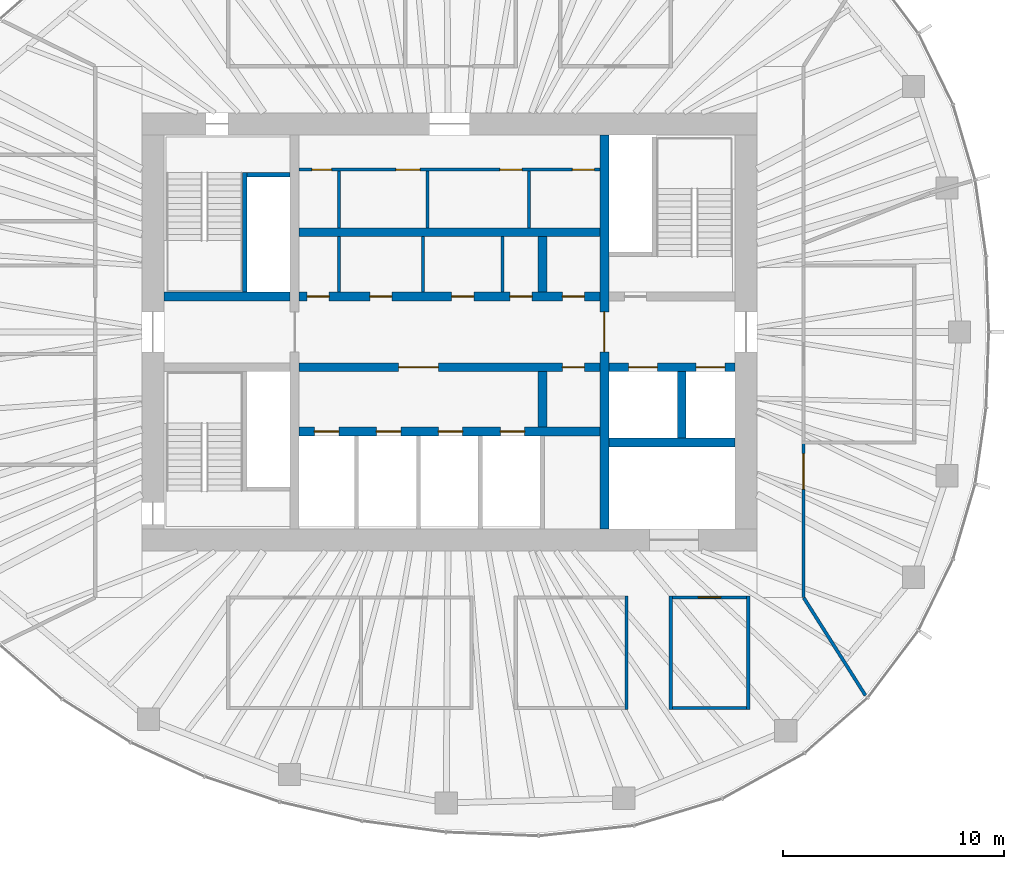
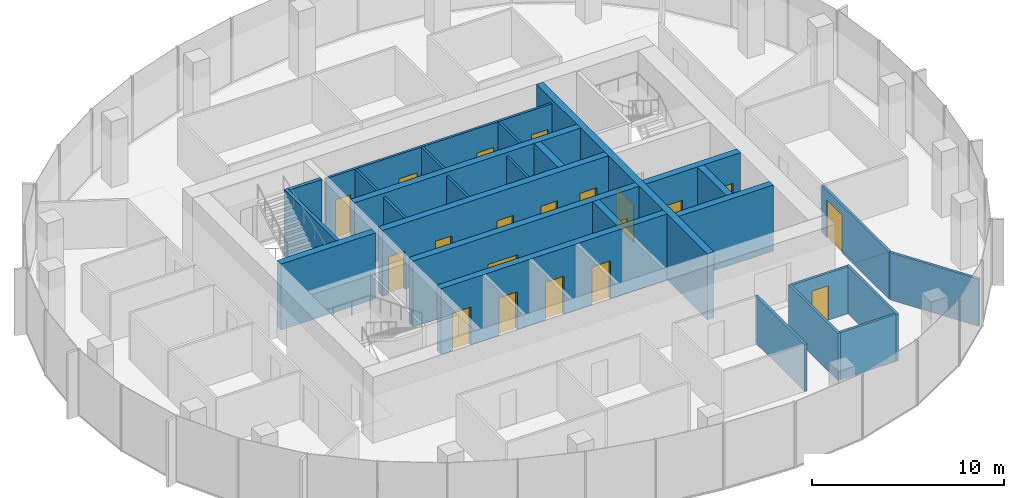
# One storey, part 9 of 11: 27 walls, 20 doors, 20 openings.
"""IFC4 building model written with IfcOpenShell, lengths in metres."""

from ifc_helpers import new_model, si_unit, direction, frame, frame_2d, origin, place, context, subcontext, project, spatial, rectangle, extrude, material, layer, layer_set, type_object, element, fill, save


model = new_model("IFC4")

# Units and contexts
model_context = context("Model", 3, precision=1e-05, world=origin(), true_north=direction((0.0, 1.0)))
body_context = subcontext(model_context, "Body", "Model", "MODEL_VIEW")
ifc_project = project(units=[si_unit("LENGTHUNIT", "METRE"), si_unit("AREAUNIT", "SQUARE_METRE"), si_unit("VOLUMEUNIT", "CUBIC_METRE"), si_unit("PLANEANGLEUNIT", "RADIAN"), si_unit("MASSUNIT", "GRAM", prefix="KILO")], contexts=[model_context])

# Site, building, storey
site_placement = place(None, origin())
site = spatial("IfcSite", under=ifc_project, at=site_placement, CompositionType="ELEMENT")
building_placement = place(site_placement, origin())
building = spatial("IfcBuilding", under=site, at=building_placement, Name="Ghaith Harvest Tower", CompositionType="ELEMENT")
storey_placement = place(building_placement, frame((0.0, 0.0, 325.800048828125)))
storey = spatial("IfcBuildingStorey", under=building, at=storey_placement, Name="L73", CompositionType="ELEMENT", Elevation=325.800048828125)

# Wall, openings, doors
ifc_material_1 = material(Name="Concrete blockwork, fair-faced", Category="masonry")
ifc_layer_1 = layer(ifc_material_1, 0.139892578125)
ifc_layer_set_1 = layer_set([ifc_layer_1], Name="CORE PARTITION 140")
wall_type_1 = type_object("IfcWallType", Name="CORE PARTITION 140", PredefinedType="PARTITIONING", material=ifc_layer_set_1)
wall_1_placement = place(storey_placement, frame((-6.800048828125, 7.330078125, 0.0), z_axis=(0.0, 0.0, 1.0), x_axis=(1.0, 0.0, 0.0)))
wall_1 = element("IfcWall", 1, at=wall_1_placement, inside=storey, type_object=wall_type_1, Name="Core partition L73", PredefinedType="PARTITIONING", context=body_context, shape_type="SweptSolid", body=[
    extrude(rectangle(XDim=13.60009765625, YDim=0.139892578125, at=frame_2d((6.800048828125, 0.0))), origin(), (0.0, 0.0, 1.0), 3.949951171875),
])
opening_1_placement = place(wall_1_placement, frame((0.580078125, 0.0, 0.0)))
opening_1 = element("IfcOpeningElement", 2, at=opening_1_placement, cuts=wall_1, Name="Opening 73-008", PredefinedType="OPENING", context=body_context, shape_type="SweptSolid", body=[
    extrude(rectangle(XDim=0.89990234375, YDim=2.39990234375, at=frame_2d((0.449951171875, 1.199951171875))), frame((0.0, 0.080078125, 0.0), z_axis=(0.0, -1.0, 0.0), x_axis=(1.0, 0.0, 0.0)), (0.0, 0.0, 1.0), 0.159912109375),
])
opening_2_placement = place(wall_1_placement, frame((4.3798828125, 0.0, 0.0)))
opening_2 = element("IfcOpeningElement", 3, at=opening_2_placement, cuts=wall_1, Name="Opening 73-009", PredefinedType="OPENING", context=body_context, shape_type="SweptSolid", body=[
    extrude(rectangle(XDim=1.10009765625, YDim=2.39990234375, at=frame_2d((0.550048828125, 1.199951171875))), frame((0.0, 0.080078125, 0.0), z_axis=(0.0, -1.0, 0.0), x_axis=(1.0, 0.0, 0.0)), (0.0, 0.0, 1.0), 0.159912109375),
])
opening_3_placement = place(wall_1_placement, frame((9.080078125, 0.0, 0.0)))
opening_3 = element("IfcOpeningElement", 4, at=opening_3_placement, cuts=wall_1, Name="Opening 73-010", PredefinedType="OPENING", context=body_context, shape_type="SweptSolid", body=[
    extrude(rectangle(XDim=1.0, YDim=2.39990234375, at=frame_2d((0.5, 1.199951171875))), frame((0.0, 0.080078125, 0.0), z_axis=(0.0, -1.0, 0.0), x_axis=(1.0, 0.0, 0.0)), (0.0, 0.0, 1.0), 0.159912109375),
])
opening_4_placement = place(wall_1_placement, frame((12.35009765625, 0.0, 0.0)))
opening_4 = element("IfcOpeningElement", 5, at=opening_4_placement, cuts=wall_1, Name="Opening 73-011", PredefinedType="OPENING", context=body_context, shape_type="SweptSolid", body=[
    extrude(rectangle(XDim=1.0, YDim=2.39990234375, at=frame_2d((0.5, 1.199951171875))), frame((0.0, 0.080078125, 0.0), z_axis=(0.0, -1.0, 0.0), x_axis=(1.0, 0.0, 0.0)), (0.0, 0.0, 1.0), 0.159912109375),
])
ifc_material_2 = material(Name="Steel fire door", Category="steel")
door_type_1 = type_object("IfcDoorType", Name="D3 FD90 1000x2400", OperationType="SINGLE_SWING_LEFT", PredefinedType="DOOR", material=ifc_material_2)
door_1_placement = place(opening_3_placement, origin())
door_1 = element("IfcDoor", 6, at=door_1_placement, inside=storey, type_object=door_type_1, Name="Male WC door", OperationType="SINGLE_SWING_RIGHT", OverallHeight=2.39990234375, OverallWidth=1.0, PredefinedType="DOOR", context=body_context, shape_type="SweptSolid", body=[
    extrude(rectangle(XDim=1.0, YDim=2.39990234375, at=frame_2d((0.5, 1.199951171875))), frame((0.0, 0.02490234375, 0.0), z_axis=(0.0, -1.0, 0.0), x_axis=(1.0, 0.0, 0.0)), (0.0, 0.0, 1.0), 0.050048828125),
])
fill(opening_3, door_1)
door_2_placement = place(opening_4_placement, origin())
door_2 = element("IfcDoor", 7, at=door_2_placement, inside=storey, type_object=door_type_1, Name="Female WC door", OperationType="SINGLE_SWING_RIGHT", OverallHeight=2.39990234375, OverallWidth=1.0, PredefinedType="DOOR", context=body_context, shape_type="SweptSolid", body=[
    extrude(rectangle(XDim=1.0, YDim=2.39990234375, at=frame_2d((0.5, 1.199951171875))), frame((0.0, 0.02490234375, 0.0), z_axis=(0.0, -1.0, 0.0), x_axis=(1.0, 0.0, 0.0)), (0.0, 0.0, 1.0), 0.050048828125),
])
fill(opening_4, door_2)
ifc_material_3 = material(Name="Steel fire door", Category="steel")
door_type_2 = type_object("IfcDoorType", Name="D5 FD90 900x2400", OperationType="SINGLE_SWING_LEFT", PredefinedType="DOOR", material=ifc_material_3)
door_3_placement = place(opening_1_placement, origin())
door_3 = element("IfcDoor", 8, at=door_3_placement, inside=storey, type_object=door_type_2, Name="Cleaner's store door", OperationType="SINGLE_SWING_LEFT", OverallHeight=2.39990234375, OverallWidth=0.89990234375, PredefinedType="DOOR", context=body_context, shape_type="SweptSolid", body=[
    extrude(rectangle(XDim=0.89990234375, YDim=2.39990234375, at=frame_2d((0.449951171875, 1.199951171875))), frame((0.0, 0.02490234375, 0.0), z_axis=(0.0, -1.0, 0.0), x_axis=(1.0, 0.0, 0.0)), (0.0, 0.0, 1.0), 0.050048828125),
])
fill(opening_1, door_3)
ifc_material_4 = material(Name="Steel fire door", Category="steel")
door_type_3 = type_object("IfcDoorType", Name="D9 FD90 1100x2400", OperationType="SINGLE_SWING_LEFT", PredefinedType="DOOR", material=ifc_material_4)
door_4_placement = place(opening_2_placement, origin())
door_4 = element("IfcDoor", 9, at=door_4_placement, inside=storey, type_object=door_type_3, Name="Accessible WC door", OperationType="SINGLE_SWING_LEFT", OverallHeight=2.39990234375, OverallWidth=1.10009765625, PredefinedType="DOOR", context=body_context, shape_type="SweptSolid", body=[
    extrude(rectangle(XDim=1.10009765625, YDim=2.39990234375, at=frame_2d((0.550048828125, 1.199951171875))), frame((0.0, 0.02490234375, 0.0), z_axis=(0.0, -1.0, 0.0), x_axis=(1.0, 0.0, 0.0)), (0.0, 0.0, 1.0), 0.050048828125),
])
fill(opening_2, door_4)

# Walls
for number, where, z_axis, x_axis, name in (
    (10, (-5.0, 4.699951171875, 0.0), (0.0, 0.0, 1.0), (0.0, 1.0, 0.0), "Core partition L73"),
    (11, (-1.0, 4.699951171875, 0.0), (0.0, 0.0, 1.0), (0.0, 1.0, 0.0), "Core partition L73"),
    (12, (3.60009765625, 4.699951171875, 0.0), (0.0, 0.0, 1.0), (0.0, 1.0, 0.0), "Core partition L73"),
):
    element("IfcWall", number, at=place(storey_placement, frame(where, z_axis=z_axis, x_axis=x_axis)), inside=storey, type_object=wall_type_1, Name=name, PredefinedType="PARTITIONING", context=body_context, shape_type="SweptSolid", body=[
        extrude(rectangle(XDim=2.56005859375, YDim=0.139892578125, at=frame_2d((1.280029296875, 0.0))), origin(), (0.0, 0.0, 1.0), 3.949951171875),
    ])
for number, where, z_axis, x_axis, name in (
    (13, (-5.0, 1.800048828125, 0.0), (0.0, 0.0, 1.0), (0.0, 1.0, 0.0), "Core partition L73"),
    (14, (-1.199951171875, 1.800048828125, 0.0), (0.0, 0.0, 1.0), (0.0, 1.0, 0.0), "Core partition L73"),
    (15, (2.39990234375, 1.800048828125, 0.0), (0.0, 0.0, 1.0), (0.0, 1.0, 0.0), "Core partition L73"),
):
    element("IfcWall", number, at=place(storey_placement, frame(where, z_axis=z_axis, x_axis=x_axis)), inside=storey, type_object=wall_type_1, Name=name, PredefinedType="PARTITIONING", context=body_context, shape_type="SweptSolid", body=[
        extrude(rectangle(XDim=2.5, YDim=0.139892578125, at=frame_2d((1.25, 0.0))), origin(), (0.0, 0.0, 1.0), 3.949951171875),
    ])
ifc_material_5 = material(Name="Gypsum board on steel studs", Category="steel")
ifc_layer_2 = layer(ifc_material_5, 0.14990234375)
ifc_layer_set_2 = layer_set([ifc_layer_2], Name="PARTITION 150")
wall_type_2 = type_object("IfcWallType", Name="PARTITION 150", PredefinedType="PARTITIONING", material=ifc_layer_set_2)
for number, where, z_axis, x_axis, name in (
    (16, (8.0, -11.925048828125, 0.0), (0.0, 0.0, 1.0), (0.0, -1.0, 0.0), "Partition L73 row S4 cross wall 2"),
    (17, (10.0, -11.925048828125, 0.0), (0.0, 0.0, 1.0), (0.0, -1.0, 0.0), "Partition L73 row S7 cross wall 1"),
    (18, (13.5, -11.925048828125, 0.0), (0.0, 0.0, 1.0), (0.0, -1.0, 0.0), "Partition L73 row S7 cross wall 2"),
):
    element("IfcWall", number, at=place(storey_placement, frame(where, z_axis=z_axis, x_axis=x_axis)), inside=storey, type_object=wall_type_2, Name=name, PredefinedType="PARTITIONING", context=body_context, shape_type="SweptSolid", body=[
        extrude(rectangle(XDim=5.14990234375, YDim=0.14990234375, at=frame_2d((2.574951171875, 0.0))), origin(), (0.0, 0.0, 1.0), 3.0),
    ])

# Wall, opening, door
wall_2_placement = place(storey_placement, frame((10.074951171875, -12.0, 0.0), z_axis=(0.0, 0.0, 1.0), x_axis=(1.0, 0.0, 0.0)))
wall_2 = element("IfcWall", 19, at=wall_2_placement, inside=storey, type_object=wall_type_2, Name="Partition L73-10", PredefinedType="PARTITIONING", context=body_context, shape_type="SweptSolid", body=[
    extrude(rectangle(XDim=3.35009765625, YDim=0.14990234375, at=frame_2d((1.675048828125, 0.0))), origin(), (0.0, 0.0, 1.0), 3.0),
])
opening_5_placement = place(wall_2_placement, frame((1.175048828125, 0.0, 0.0)))
opening_5 = element("IfcOpeningElement", 20, at=opening_5_placement, cuts=wall_2, Name="Opening 73-036", PredefinedType="OPENING", context=body_context, shape_type="SweptSolid", body=[
    extrude(rectangle(XDim=1.0, YDim=2.199951171875, at=frame_2d((0.5, 1.10009765625))), frame((0.0, 0.0849609375, 0.0), z_axis=(0.0, -1.0, 0.0), x_axis=(1.0, 0.0, 0.0)), (0.0, 0.0, 1.0), 0.169921875),
])
ifc_material_6 = material(Name="Timber door", Category="wood")
door_type_4 = type_object("IfcDoorType", Name="D1 SINGLE 1000x2200", OperationType="SINGLE_SWING_LEFT", PredefinedType="DOOR", material=ifc_material_6)
door_5_placement = place(opening_5_placement, origin())
door_5 = element("IfcDoor", 21, at=door_5_placement, inside=storey, type_object=door_type_4, Name="Store door", OperationType="SINGLE_SWING_LEFT", OverallHeight=2.199951171875, OverallWidth=1.0, PredefinedType="DOOR", context=body_context, shape_type="SweptSolid", body=[
    extrude(rectangle(XDim=1.0, YDim=2.199951171875, at=frame_2d((0.5, 1.10009765625))), frame((0.0, 0.02490234375, 0.0), z_axis=(0.0, -1.0, 0.0), x_axis=(1.0, 0.0, 0.0)), (0.0, 0.0, 1.0), 0.050048828125),
])
fill(opening_5, door_5)

# Walls
wall_3_placement = place(storey_placement, frame((10.074951171875, -17.0, 0.0), z_axis=(0.0, 0.0, 1.0), x_axis=(1.0, 0.0, 0.0)))
element("IfcWall", 22, at=wall_3_placement, inside=storey, type_object=wall_type_2, Name="Partition L73-10", PredefinedType="PARTITIONING", context=body_context, shape_type="SweptSolid", body=[
    extrude(rectangle(XDim=3.35009765625, YDim=0.14990234375, at=frame_2d((1.675048828125, 0.0))), origin(), (0.0, 0.0, 1.0), 3.0),
])
wall_4_placement = place(storey_placement, frame((16.0107421875, -12.016845703125, 0.0), z_axis=(0.0, 0.0, 1.0), x_axis=(0.53415837449, -0.845384427916, 0.0)))
element("IfcWall", 23, at=wall_4_placement, inside=storey, type_object=wall_type_2, Name="Partition L73 zone division", PredefinedType="PARTITIONING", context=body_context, shape_type="SweptSolid", body=[
    extrude(rectangle(XDim=5.220458984375, YDim=0.14990234375, at=frame_2d((2.6103515625, 0.0))), origin(), (0.0, 0.0, 1.0), 3.0),
])

# Wall, opening, door
wall_5_placement = place(storey_placement, frame((16.0, -12.0, 0.0), z_axis=(0.0, 0.0, 1.0), x_axis=(0.0, 1.0, 0.0)))
wall_5 = element("IfcWall", 24, at=wall_5_placement, inside=storey, type_object=wall_type_2, Name="Partition L73 zone enclosure", PredefinedType="PARTITIONING", context=body_context, shape_type="SweptSolid", body=[
    extrude(rectangle(XDim=7.0, YDim=0.14990234375, at=frame_2d((3.5, 0.0))), origin(), (0.0, 0.0, 1.0), 3.0),
])
opening_6_placement = place(wall_5_placement, frame((4.89990234375, 0.0, 0.0)))
opening_6 = element("IfcOpeningElement", 25, at=opening_6_placement, cuts=wall_5, Name="Opening 73-039", PredefinedType="OPENING", context=body_context, shape_type="SweptSolid", body=[
    extrude(rectangle(XDim=1.60009765625, YDim=2.39990234375, at=frame_2d((0.800048828125, 1.199951171875))), frame((0.0, 0.0849609375, 0.0), z_axis=(0.0, -1.0, 0.0), x_axis=(1.0, 0.0, 0.0)), (0.0, 0.0, 1.0), 0.169921875),
])
ifc_material_7 = material(Name="Timber door", Category="wood")
door_type_5 = type_object("IfcDoorType", Name="D2 PAIR 1600x2400", OperationType="DOUBLE_DOOR_SINGLE_SWING", PredefinedType="DOOR", material=ifc_material_7)
door_6_placement = place(opening_6_placement, origin())
door_6 = element("IfcDoor", 26, at=door_6_placement, inside=storey, type_object=door_type_5, Name="Chef's growing area east 2 door", OperationType="DOUBLE_DOOR_SINGLE_SWING", OverallHeight=2.39990234375, OverallWidth=1.60009765625, PredefinedType="DOOR", context=body_context, shape_type="SweptSolid", body=[
    extrude(rectangle(XDim=1.60009765625, YDim=2.39990234375, at=frame_2d((0.800048828125, 1.199951171875))), frame((0.0, 0.02490234375, 0.0), z_axis=(0.0, -1.0, 0.0), x_axis=(1.0, 0.0, 0.0)), (0.0, 0.0, 1.0), 0.050048828125),
])
fill(opening_6, door_6)

ifc_material_8 = material(Name="Concrete C70/85", Category="concrete")
ifc_layer_3 = layer(ifc_material_8, 0.39990234375)
ifc_layer_set_3 = layer_set([ifc_layer_3], Name="SHAFT WALL 400")
wall_type_3 = type_object("IfcWallType", Name="SHAFT WALL 400", PredefinedType="SHEAR", material=ifc_layer_set_3)
wall_6_placement = place(storey_placement, frame((7.0, -8.89990234375, 0.0), z_axis=(0.0, 0.0, 1.0), x_axis=(0.0, 1.0, 0.0)))
wall_6 = element("IfcWall", 27, at=wall_6_placement, inside=storey, type_object=wall_type_3, Name="Shaft wall W7E L73", PredefinedType="SHEAR", context=body_context, shape_type="SweptSolid", body=[
    extrude(rectangle(XDim=17.7998046875, YDim=0.39990234375, at=frame_2d((8.89990234375, 0.0))), origin(), (0.0, 0.0, 1.0), 4.199951171875),
])
opening_7_placement = place(wall_6_placement, frame((8.0, 0.0, 0.0)))
opening_7 = element("IfcOpeningElement", 28, at=opening_7_placement, cuts=wall_6, Name="Opening 73-004", PredefinedType="OPENING", context=body_context, shape_type="SweptSolid", body=[
    extrude(rectangle(XDim=1.800048828125, YDim=2.39990234375, at=frame_2d((0.89990234375, 1.199951171875))), frame((0.0, 0.2099609375, 0.0), z_axis=(0.0, -1.0, 0.0), x_axis=(1.0, 0.0, 0.0)), (0.0, 0.0, 1.0), 0.419921875),
])
ifc_material_9 = material(Name="Steel fire door", Category="steel")
door_type_6 = type_object("IfcDoorType", Name="D4 FD90 PAIR 1800x2400", OperationType="DOUBLE_DOOR_SINGLE_SWING", PredefinedType="DOOR", material=ifc_material_9)
door_7_placement = place(opening_7_placement, origin())
door_7 = element("IfcDoor", 29, at=door_7_placement, inside=storey, type_object=door_type_6, Name="Lift lobby doors, east", OperationType="DOUBLE_DOOR_SINGLE_SWING", OverallHeight=2.39990234375, OverallWidth=1.800048828125, PredefinedType="DOOR", context=body_context, shape_type="SweptSolid", body=[
    extrude(rectangle(XDim=1.800048828125, YDim=2.39990234375, at=frame_2d((0.89990234375, 1.199951171875))), frame((0.0, 0.02490234375, 0.0), z_axis=(0.0, -1.0, 0.0), x_axis=(1.0, 0.0, 0.0)), (0.0, 0.0, 1.0), 0.050048828125),
])
fill(opening_7, door_7)

# Wall, openings, doors
wall_7_placement = place(storey_placement, frame((-6.800048828125, 1.60009765625, 0.0), z_axis=(0.0, 0.0, 1.0), x_axis=(1.0, 0.0, 0.0)))
wall_7 = element("IfcWall", 30, at=wall_7_placement, inside=storey, type_object=wall_type_3, Name="Shaft wall LN L73", PredefinedType="SHEAR", context=body_context, shape_type="SweptSolid", body=[
    extrude(rectangle(XDim=13.60009765625, YDim=0.39990234375, at=frame_2d((6.800048828125, 0.0))), origin(), (0.0, 0.0, 1.0), 4.199951171875),
])
opening_8_placement = place(wall_7_placement, frame((0.364990234375, 0.0, 0.0)))
opening_8 = element("IfcOpeningElement", 31, at=opening_8_placement, cuts=wall_7, Name="Opening 73-012", PredefinedType="OPENING", context=body_context, shape_type="SweptSolid", body=[
    extrude(rectangle(XDim=1.0, YDim=2.39990234375, at=frame_2d((0.5, 1.199951171875))), frame((0.0, 0.2099609375, 0.0), z_axis=(0.0, -1.0, 0.0), x_axis=(1.0, 0.0, 0.0)), (0.0, 0.0, 1.0), 0.419921875),
])
opening_9_placement = place(wall_7_placement, frame((3.199951171875, 0.0, 0.0)))
opening_9 = element("IfcOpeningElement", 32, at=opening_9_placement, cuts=wall_7, Name="Opening 73-013", PredefinedType="OPENING", context=body_context, shape_type="SweptSolid", body=[
    extrude(rectangle(XDim=1.0, YDim=2.39990234375, at=frame_2d((0.5, 1.199951171875))), frame((0.0, 0.2099609375, 0.0), z_axis=(0.0, -1.0, 0.0), x_axis=(1.0, 0.0, 0.0)), (0.0, 0.0, 1.0), 0.419921875),
])
opening_10_placement = place(wall_7_placement, frame((6.89990234375, 0.0, 0.0)))
opening_10 = element("IfcOpeningElement", 33, at=opening_10_placement, cuts=wall_7, Name="Opening 73-014", PredefinedType="OPENING", context=body_context, shape_type="SweptSolid", body=[
    extrude(rectangle(XDim=1.0, YDim=2.39990234375, at=frame_2d((0.5, 1.199951171875))), frame((0.0, 0.2099609375, 0.0), z_axis=(0.0, -1.0, 0.0), x_axis=(1.0, 0.0, 0.0)), (0.0, 0.0, 1.0), 0.419921875),
])
opening_11_placement = place(wall_7_placement, frame((9.534912109375, 0.0, 0.0)))
opening_11 = element("IfcOpeningElement", 34, at=opening_11_placement, cuts=wall_7, Name="Opening 73-015", PredefinedType="OPENING", context=body_context, shape_type="SweptSolid", body=[
    extrude(rectangle(XDim=1.0, YDim=2.39990234375, at=frame_2d((0.5, 1.199951171875))), frame((0.0, 0.2099609375, 0.0), z_axis=(0.0, -1.0, 0.0), x_axis=(1.0, 0.0, 0.0)), (0.0, 0.0, 1.0), 0.419921875),
])
opening_12_placement = place(wall_7_placement, frame((11.89990234375, 0.0, 0.0)))
opening_12 = element("IfcOpeningElement", 35, at=opening_12_placement, cuts=wall_7, Name="Opening 73-016", PredefinedType="OPENING", context=body_context, shape_type="SweptSolid", body=[
    extrude(rectangle(XDim=1.0, YDim=2.39990234375, at=frame_2d((0.5, 1.199951171875))), frame((0.0, 0.2099609375, 0.0), z_axis=(0.0, -1.0, 0.0), x_axis=(1.0, 0.0, 0.0)), (0.0, 0.0, 1.0), 0.419921875),
])
door_8_placement = place(opening_8_placement, origin())
door_8 = element("IfcDoor", 36, at=door_8_placement, inside=storey, type_object=door_type_1, Name="Electrical room door", OperationType="SINGLE_SWING_LEFT", OverallHeight=2.39990234375, OverallWidth=1.0, PredefinedType="DOOR", context=body_context, shape_type="SweptSolid", body=[
    extrude(rectangle(XDim=1.0, YDim=2.39990234375, at=frame_2d((0.5, 1.199951171875))), frame((0.0, 0.02490234375, 0.0), z_axis=(0.0, -1.0, 0.0), x_axis=(1.0, 0.0, 0.0)), (0.0, 0.0, 1.0), 0.050048828125),
])
fill(opening_8, door_8)
door_9_placement = place(opening_9_placement, origin())
door_9 = element("IfcDoor", 37, at=door_9_placement, inside=storey, type_object=door_type_1, Name="Communications equipment room door", OperationType="SINGLE_SWING_LEFT", OverallHeight=2.39990234375, OverallWidth=1.0, PredefinedType="DOOR", context=body_context, shape_type="SweptSolid", body=[
    extrude(rectangle(XDim=1.0, YDim=2.39990234375, at=frame_2d((0.5, 1.199951171875))), frame((0.0, 0.02490234375, 0.0), z_axis=(0.0, -1.0, 0.0), x_axis=(1.0, 0.0, 0.0)), (0.0, 0.0, 1.0), 0.050048828125),
])
fill(opening_9, door_9)
door_10_placement = place(opening_10_placement, origin())
door_10 = element("IfcDoor", 38, at=door_10_placement, inside=storey, type_object=door_type_1, Name="Security room door", OperationType="SINGLE_SWING_RIGHT", OverallHeight=2.39990234375, OverallWidth=1.0, PredefinedType="DOOR", context=body_context, shape_type="SweptSolid", body=[
    extrude(rectangle(XDim=1.0, YDim=2.39990234375, at=frame_2d((0.5, 1.199951171875))), frame((0.0, 0.02490234375, 0.0), z_axis=(0.0, -1.0, 0.0), x_axis=(1.0, 0.0, 0.0)), (0.0, 0.0, 1.0), 0.050048828125),
])
fill(opening_10, door_10)
door_11_placement = place(opening_11_placement, origin())
door_11 = element("IfcDoor", 39, at=door_11_placement, inside=storey, type_object=door_type_1, Name="IT equipment room door", OperationType="SINGLE_SWING_RIGHT", OverallHeight=2.39990234375, OverallWidth=1.0, PredefinedType="DOOR", context=body_context, shape_type="SweptSolid", body=[
    extrude(rectangle(XDim=1.0, YDim=2.39990234375, at=frame_2d((0.5, 1.199951171875))), frame((0.0, 0.02490234375, 0.0), z_axis=(0.0, -1.0, 0.0), x_axis=(1.0, 0.0, 0.0)), (0.0, 0.0, 1.0), 0.050048828125),
])
fill(opening_11, door_11)
door_12_placement = place(opening_12_placement, origin())
door_12 = element("IfcDoor", 40, at=door_12_placement, inside=storey, type_object=door_type_1, Name="IT equipment room door", OperationType="SINGLE_SWING_RIGHT", OverallHeight=2.39990234375, OverallWidth=1.0, PredefinedType="DOOR", context=body_context, shape_type="SweptSolid", body=[
    extrude(rectangle(XDim=1.0, YDim=2.39990234375, at=frame_2d((0.5, 1.199951171875))), frame((0.0, 0.02490234375, 0.0), z_axis=(0.0, -1.0, 0.0), x_axis=(1.0, 0.0, 0.0)), (0.0, 0.0, 1.0), 0.050048828125),
])
fill(opening_12, door_12)

wall_8_placement = place(storey_placement, frame((-6.800048828125, -1.60009765625, 0.0), z_axis=(0.0, 0.0, 1.0), x_axis=(1.0, 0.0, 0.0)))
wall_8 = element("IfcWall", 41, at=wall_8_placement, inside=storey, type_object=wall_type_3, Name="Shaft wall LS L73", PredefinedType="SHEAR", context=body_context, shape_type="SweptSolid", body=[
    extrude(rectangle(XDim=13.60009765625, YDim=0.39990234375, at=frame_2d((6.800048828125, 0.0))), origin(), (0.0, 0.0, 1.0), 4.199951171875),
])
opening_13_placement = place(wall_8_placement, frame((11.89990234375, 0.0, 0.0)))
opening_13 = element("IfcOpeningElement", 42, at=opening_13_placement, cuts=wall_8, Name="Opening 73-017", PredefinedType="OPENING", context=body_context, shape_type="SweptSolid", body=[
    extrude(rectangle(XDim=1.0, YDim=2.39990234375, at=frame_2d((0.5, 1.199951171875))), frame((0.0, 0.2099609375, 0.0), z_axis=(0.0, -1.0, 0.0), x_axis=(1.0, 0.0, 0.0)), (0.0, 0.0, 1.0), 0.419921875),
])
opening_14_placement = place(wall_8_placement, frame((4.5, 0.0, 0.0)))
opening_14 = element("IfcOpeningElement", 43, at=opening_14_placement, cuts=wall_8, Name="Opening 73-018", PredefinedType="OPENING", context=body_context, shape_type="SweptSolid", body=[
    extrude(rectangle(XDim=1.800048828125, YDim=2.39990234375, at=frame_2d((0.89990234375, 1.199951171875))), frame((0.0, 0.2099609375, 0.0), z_axis=(0.0, -1.0, 0.0), x_axis=(1.0, 0.0, 0.0)), (0.0, 0.0, 1.0), 0.419921875),
])
door_13_placement = place(opening_13_placement, origin())
door_13 = element("IfcDoor", 44, at=door_13_placement, inside=storey, type_object=door_type_1, Name="Vending point door", OperationType="SINGLE_SWING_RIGHT", OverallHeight=2.39990234375, OverallWidth=1.0, PredefinedType="DOOR", context=body_context, shape_type="SweptSolid", body=[
    extrude(rectangle(XDim=1.0, YDim=2.39990234375, at=frame_2d((0.5, 1.199951171875))), frame((0.0, 0.02490234375, 0.0), z_axis=(0.0, -1.0, 0.0), x_axis=(1.0, 0.0, 0.0)), (0.0, 0.0, 1.0), 0.050048828125),
])
fill(opening_13, door_13)
door_14_placement = place(opening_14_placement, origin())
door_14 = element("IfcDoor", 45, at=door_14_placement, inside=storey, type_object=door_type_6, Name="Lift lobby doors, upper-zone bank", OperationType="DOUBLE_DOOR_SINGLE_SWING", OverallHeight=2.39990234375, OverallWidth=1.800048828125, PredefinedType="DOOR", context=body_context, shape_type="SweptSolid", body=[
    extrude(rectangle(XDim=1.800048828125, YDim=2.39990234375, at=frame_2d((0.89990234375, 1.199951171875))), frame((0.0, 0.02490234375, 0.0), z_axis=(0.0, -1.0, 0.0), x_axis=(1.0, 0.0, 0.0)), (0.0, 0.0, 1.0), 0.050048828125),
])
fill(opening_14, door_14)

# Wall
wall_9_placement = place(storey_placement, frame((-6.800048828125, 4.5, 0.0), z_axis=(0.0, 0.0, 1.0), x_axis=(1.0, 0.0, 0.0)))
element("IfcWall", 46, at=wall_9_placement, inside=storey, type_object=wall_type_3, Name="Shaft wall BN L73", PredefinedType="SHEAR", context=body_context, shape_type="SweptSolid", body=[
    extrude(rectangle(XDim=13.60009765625, YDim=0.39990234375, at=frame_2d((6.800048828125, 0.0))), origin(), (0.0, 0.0, 1.0), 4.199951171875),
])

# Wall, openings, doors
wall_10_placement = place(storey_placement, frame((-6.800048828125, -4.5, 0.0), z_axis=(0.0, 0.0, 1.0), x_axis=(1.0, 0.0, 0.0)))
wall_10 = element("IfcWall", 47, at=wall_10_placement, inside=storey, type_object=wall_type_3, Name="Shaft wall BS L73", PredefinedType="SHEAR", context=body_context, shape_type="SweptSolid", body=[
    extrude(rectangle(XDim=13.60009765625, YDim=0.39990234375, at=frame_2d((6.800048828125, 0.0))), origin(), (0.0, 0.0, 1.0), 4.199951171875),
])
opening_15_placement = place(wall_10_placement, frame((0.699951171875, 0.0, 0.0)))
opening_15 = element("IfcOpeningElement", 48, at=opening_15_placement, cuts=wall_10, Name="Opening 73-020", PredefinedType="OPENING", context=body_context, shape_type="SweptSolid", body=[
    extrude(rectangle(XDim=1.10009765625, YDim=2.39990234375, at=frame_2d((0.550048828125, 1.199951171875))), frame((0.0, 0.2099609375, 0.0), z_axis=(0.0, -1.0, 0.0), x_axis=(1.0, 0.0, 0.0)), (0.0, 0.0, 1.0), 0.419921875),
])
opening_16_placement = place(wall_10_placement, frame((3.5, 0.0, 0.0)))
opening_16 = element("IfcOpeningElement", 49, at=opening_16_placement, cuts=wall_10, Name="Opening 73-021", PredefinedType="OPENING", context=body_context, shape_type="SweptSolid", body=[
    extrude(rectangle(XDim=1.10009765625, YDim=2.39990234375, at=frame_2d((0.550048828125, 1.199951171875))), frame((0.0, 0.2099609375, 0.0), z_axis=(0.0, -1.0, 0.0), x_axis=(1.0, 0.0, 0.0)), (0.0, 0.0, 1.0), 0.419921875),
])
opening_17_placement = place(wall_10_placement, frame((6.300048828125, 0.0, 0.0)))
opening_17 = element("IfcOpeningElement", 50, at=opening_17_placement, cuts=wall_10, Name="Opening 73-022", PredefinedType="OPENING", context=body_context, shape_type="SweptSolid", body=[
    extrude(rectangle(XDim=1.10009765625, YDim=2.39990234375, at=frame_2d((0.550048828125, 1.199951171875))), frame((0.0, 0.2099609375, 0.0), z_axis=(0.0, -1.0, 0.0), x_axis=(1.0, 0.0, 0.0)), (0.0, 0.0, 1.0), 0.419921875),
])
opening_18_placement = place(wall_10_placement, frame((9.10009765625, 0.0, 0.0)))
opening_18 = element("IfcOpeningElement", 51, at=opening_18_placement, cuts=wall_10, Name="Opening 73-023", PredefinedType="OPENING", context=body_context, shape_type="SweptSolid", body=[
    extrude(rectangle(XDim=1.10009765625, YDim=2.39990234375, at=frame_2d((0.550048828125, 1.199951171875))), frame((0.0, 0.2099609375, 0.0), z_axis=(0.0, -1.0, 0.0), x_axis=(1.0, 0.0, 0.0)), (0.0, 0.0, 1.0), 0.419921875),
])
ifc_material_10 = material(Name="Steel fire door", Category="steel")
door_type_7 = type_object("IfcDoorType", Name="LD1 LANDING 1100x2400", OperationType="DOUBLE_DOOR_SLIDING", PredefinedType="DOOR", material=ifc_material_10)
door_15_placement = place(opening_15_placement, origin())
door_15 = element("IfcDoor", 52, at=door_15_placement, inside=storey, type_object=door_type_7, Name="Landing door, lift TR1", OperationType="DOUBLE_DOOR_SLIDING", OverallHeight=2.39990234375, OverallWidth=1.10009765625, PredefinedType="DOOR", context=body_context, shape_type="SweptSolid", body=[
    extrude(rectangle(XDim=1.10009765625, YDim=2.39990234375, at=frame_2d((0.550048828125, 1.199951171875))), frame((0.0, 0.02490234375, 0.0), z_axis=(0.0, -1.0, 0.0), x_axis=(1.0, 0.0, 0.0)), (0.0, 0.0, 1.0), 0.050048828125),
])
fill(opening_15, door_15)
door_16_placement = place(opening_16_placement, origin())
door_16 = element("IfcDoor", 53, at=door_16_placement, inside=storey, type_object=door_type_7, Name="Landing door, lift TR2", OperationType="DOUBLE_DOOR_SLIDING", OverallHeight=2.39990234375, OverallWidth=1.10009765625, PredefinedType="DOOR", context=body_context, shape_type="SweptSolid", body=[
    extrude(rectangle(XDim=1.10009765625, YDim=2.39990234375, at=frame_2d((0.550048828125, 1.199951171875))), frame((0.0, 0.02490234375, 0.0), z_axis=(0.0, -1.0, 0.0), x_axis=(1.0, 0.0, 0.0)), (0.0, 0.0, 1.0), 0.050048828125),
])
fill(opening_16, door_16)
door_17_placement = place(opening_17_placement, origin())
door_17 = element("IfcDoor", 54, at=door_17_placement, inside=storey, type_object=door_type_7, Name="Landing door, lift TR3", OperationType="DOUBLE_DOOR_SLIDING", OverallHeight=2.39990234375, OverallWidth=1.10009765625, PredefinedType="DOOR", context=body_context, shape_type="SweptSolid", body=[
    extrude(rectangle(XDim=1.10009765625, YDim=2.39990234375, at=frame_2d((0.550048828125, 1.199951171875))), frame((0.0, 0.02490234375, 0.0), z_axis=(0.0, -1.0, 0.0), x_axis=(1.0, 0.0, 0.0)), (0.0, 0.0, 1.0), 0.050048828125),
])
fill(opening_17, door_17)
door_18_placement = place(opening_18_placement, origin())
door_18 = element("IfcDoor", 55, at=door_18_placement, inside=storey, type_object=door_type_7, Name="Landing door, lift TR4", OperationType="DOUBLE_DOOR_SLIDING", OverallHeight=2.39990234375, OverallWidth=1.10009765625, PredefinedType="DOOR", context=body_context, shape_type="SweptSolid", body=[
    extrude(rectangle(XDim=1.10009765625, YDim=2.39990234375, at=frame_2d((0.550048828125, 1.199951171875))), frame((0.0, 0.02490234375, 0.0), z_axis=(0.0, -1.0, 0.0), x_axis=(1.0, 0.0, 0.0)), (0.0, 0.0, 1.0), 0.050048828125),
])
fill(opening_18, door_18)

# Wall
wall_11_placement = place(storey_placement, frame((-12.89990234375, 1.60009765625, 0.0), z_axis=(0.0, 0.0, 1.0), x_axis=(1.0, 0.0, 0.0)))
element("IfcWall", 56, at=wall_11_placement, inside=storey, type_object=wall_type_3, Name="Shaft wall WN L73", PredefinedType="SHEAR", context=body_context, shape_type="SweptSolid", body=[
    extrude(rectangle(XDim=5.699951171875, YDim=0.39990234375, at=frame_2d((2.85009765625, 0.0))), origin(), (0.0, 0.0, 1.0), 4.199951171875),
])

# Wall, openings, doors
wall_12_placement = place(storey_placement, frame((7.199951171875, -1.60009765625, 0.0), z_axis=(0.0, 0.0, 1.0), x_axis=(1.0, 0.0, 0.0)))
wall_12 = element("IfcWall", 57, at=wall_12_placement, inside=storey, type_object=wall_type_3, Name="Shaft wall ES L73", PredefinedType="SHEAR", context=body_context, shape_type="SweptSolid", body=[
    extrude(rectangle(XDim=5.699951171875, YDim=0.39990234375, at=frame_2d((2.85009765625, 0.0))), origin(), (0.0, 0.0, 1.0), 4.199951171875),
])
opening_19_placement = place(wall_12_placement, frame((0.89990234375, 0.0, 0.0)))
opening_19 = element("IfcOpeningElement", 58, at=opening_19_placement, cuts=wall_12, Name="Opening 73-024", PredefinedType="OPENING", context=body_context, shape_type="SweptSolid", body=[
    extrude(rectangle(XDim=1.300048828125, YDim=2.39990234375, at=frame_2d((0.64990234375, 1.199951171875))), frame((0.0, 0.2099609375, 0.0), z_axis=(0.0, -1.0, 0.0), x_axis=(1.0, 0.0, 0.0)), (0.0, 0.0, 1.0), 0.419921875),
])
opening_20_placement = place(wall_12_placement, frame((3.949951171875, 0.0, 0.0)))
opening_20 = element("IfcOpeningElement", 59, at=opening_20_placement, cuts=wall_12, Name="Opening 73-025", PredefinedType="OPENING", context=body_context, shape_type="SweptSolid", body=[
    extrude(rectangle(XDim=1.300048828125, YDim=2.39990234375, at=frame_2d((0.64990234375, 1.199951171875))), frame((0.0, 0.2099609375, 0.0), z_axis=(0.0, -1.0, 0.0), x_axis=(1.0, 0.0, 0.0)), (0.0, 0.0, 1.0), 0.419921875),
])
ifc_material_11 = material(Name="Steel fire door", Category="steel")
door_type_8 = type_object("IfcDoorType", Name="LD2 LANDING 1300x2400", OperationType="DOUBLE_DOOR_SLIDING", PredefinedType="DOOR", material=ifc_material_11)
door_19_placement = place(opening_19_placement, origin())
door_19 = element("IfcDoor", 60, at=door_19_placement, inside=storey, type_object=door_type_8, Name="Landing door, fire service lift FL1", OperationType="DOUBLE_DOOR_SLIDING", OverallHeight=2.39990234375, OverallWidth=1.300048828125, PredefinedType="DOOR", context=body_context, shape_type="SweptSolid", body=[
    extrude(rectangle(XDim=1.300048828125, YDim=2.39990234375, at=frame_2d((0.64990234375, 1.199951171875))), frame((0.0, 0.02490234375, 0.0), z_axis=(0.0, -1.0, 0.0), x_axis=(1.0, 0.0, 0.0)), (0.0, 0.0, 1.0), 0.050048828125),
])
fill(opening_19, door_19)
door_20_placement = place(opening_20_placement, origin())
door_20 = element("IfcDoor", 61, at=door_20_placement, inside=storey, type_object=door_type_8, Name="Landing door, fire service lift FL2", OperationType="DOUBLE_DOOR_SLIDING", OverallHeight=2.39990234375, OverallWidth=1.300048828125, PredefinedType="DOOR", context=body_context, shape_type="SweptSolid", body=[
    extrude(rectangle(XDim=1.300048828125, YDim=2.39990234375, at=frame_2d((0.64990234375, 1.199951171875))), frame((0.0, 0.02490234375, 0.0), z_axis=(0.0, -1.0, 0.0), x_axis=(1.0, 0.0, 0.0)), (0.0, 0.0, 1.0), 0.050048828125),
])
fill(opening_20, door_20)

# Walls
wall_13_placement = place(storey_placement, frame((10.5, -4.800048828125, 0.0), z_axis=(0.0, 0.0, 1.0), x_axis=(0.0, 1.0, 0.0)))
element("IfcWall", 62, at=wall_13_placement, inside=storey, type_object=wall_type_3, Name="Shaft wall FLD L73", PredefinedType="SHEAR", context=body_context, shape_type="SweptSolid", body=[
    extrude(rectangle(XDim=3.0, YDim=0.39990234375, at=frame_2d((1.5, 0.0))), origin(), (0.0, 0.0, 1.0), 4.199951171875),
])
wall_14_placement = place(storey_placement, frame((7.199951171875, -5.0, 0.0), z_axis=(0.0, 0.0, 1.0), x_axis=(1.0, 0.0, 0.0)))
element("IfcWall", 63, at=wall_14_placement, inside=storey, type_object=wall_type_3, Name="Shaft wall FLB L73", PredefinedType="SHEAR", context=body_context, shape_type="SweptSolid", body=[
    extrude(rectangle(XDim=5.699951171875, YDim=0.39990234375, at=frame_2d((2.85009765625, 0.0))), origin(), (0.0, 0.0, 1.0), 4.199951171875),
])
for number, where, z_axis, x_axis, name in (
    (64, (4.199951171875, 1.800048828125, 0.0), (0.0, 0.0, 1.0), (0.0, 1.0, 0.0), "Shaft wall DN4 L73"),
    (65, (4.199951171875, -4.300048828125, 0.0), (0.0, 0.0, 1.0), (0.0, 1.0, 0.0), "Shaft wall DS4 L73"),
):
    element("IfcWall", number, at=place(storey_placement, frame(where, z_axis=z_axis, x_axis=x_axis)), inside=storey, type_object=wall_type_3, Name=name, PredefinedType="SHEAR", context=body_context, shape_type="SweptSolid", body=[
        extrude(rectangle(XDim=2.5, YDim=0.39990234375, at=frame_2d((1.25, 0.0))), origin(), (0.0, 0.0, 1.0), 4.199951171875),
    ])
ifc_material_12 = material(Name="Concrete C40/50", Category="concrete")
ifc_layer_4 = layer(ifc_material_12, 0.199951171875)
ifc_layer_set_4 = layer_set([ifc_layer_4], Name="STAIR SPINE WALL RC200")
wall_type_4 = type_object("IfcWallType", Name="STAIR SPINE WALL RC200", PredefinedType="SOLIDWALL", material=ifc_layer_set_4)
wall_15_placement = place(storey_placement, frame((-9.25, 7.199951171875, 0.0), z_axis=(0.0, 0.0, 1.0), x_axis=(0.0, -1.0, 0.0)))
element("IfcWall", 66, at=wall_15_placement, inside=storey, type_object=wall_type_4, Name="Stair ST1 spine wall L73", PredefinedType="SOLIDWALL", context=body_context, shape_type="SweptSolid", body=[
    extrude(rectangle(XDim=5.39990234375, YDim=0.199951171875, at=frame_2d((2.699951171875, 0.0))), origin(), (0.0, 0.0, 1.0), 4.199951171875),
])
wall_16_placement = place(storey_placement, frame((-9.14990234375, 7.10009765625, 0.0), z_axis=(0.0, 0.0, 1.0), x_axis=(1.0, 0.0, 0.0)))
element("IfcWall", 67, at=wall_16_placement, inside=storey, type_object=wall_type_4, Name="Stair ST1 spine wall return L73", PredefinedType="SOLIDWALL", context=body_context, shape_type="SweptSolid", body=[
    extrude(rectangle(XDim=1.949951171875, YDim=0.199951171875, at=frame_2d((0.97509765625, 0.0))), origin(), (0.0, 0.0, 1.0), 4.199951171875),
])

save(model, "model.ifc")
